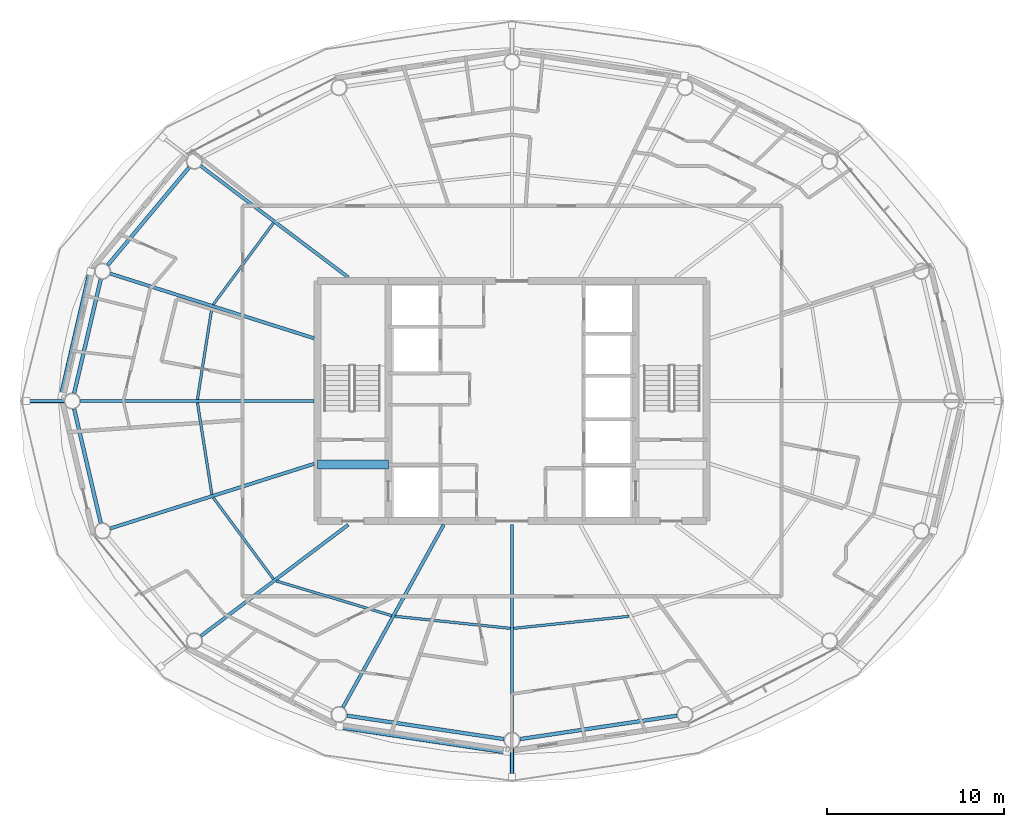
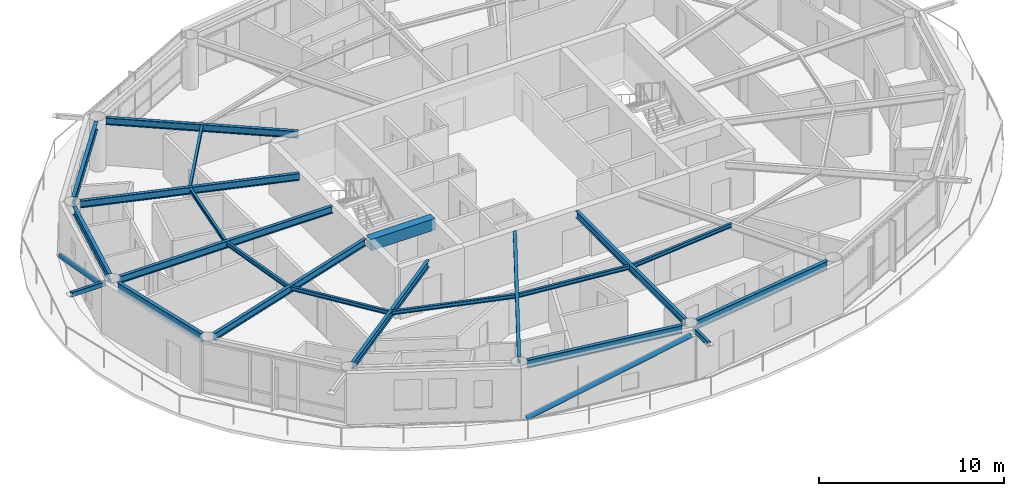
# One storey, part 4 of 23: 20 beams, 4 members.
"""IFC4 building model written with IfcOpenShell, lengths in metres."""

from ifc_helpers import new_model, si_unit, direction, frame, origin, origin_2d, place, context, subcontext, project, spatial, rectangle, hollow_rectangle, hollow_circle, i_section, extrude, material, material_profile, profile_set, type_object, element, save


model = new_model("IFC4")

# Units and contexts
model_context = context("Model", 3, precision=1e-05, world=origin(), true_north=direction((0.0, 1.0)))
body_context = subcontext(model_context, "Body", "Model", "MODEL_VIEW")
ifc_project = project(units=[si_unit("LENGTHUNIT", "METRE"), si_unit("AREAUNIT", "SQUARE_METRE"), si_unit("VOLUMEUNIT", "CUBIC_METRE"), si_unit("PLANEANGLEUNIT", "RADIAN"), si_unit("MASSUNIT", "GRAM", prefix="KILO")], contexts=[model_context])

# Site, building, storey
site_placement = place(None, origin())
site = spatial("IfcSite", under=ifc_project, at=site_placement, CompositionType="ELEMENT")
building_placement = place(site_placement, origin())
building = spatial("IfcBuilding", under=site, at=building_placement, Name="Sarneth Arch Tower", CompositionType="ELEMENT")
storey_placement = place(building_placement, frame((0.0, 0.0, 220.800048828125)))
storey = spatial("IfcBuildingStorey", under=building, at=storey_placement, Name="L56", CompositionType="ELEMENT", Elevation=220.800048828125)

# Beams
ifc_material_1 = material(Name="Steel S355", Category="steel")
ifc_material_profile_1 = material_profile(ifc_material_1, i_section(OverallWidth=0.14794921875, OverallDepth=0.26611328125, WebThickness=0.007568359375, FlangeThickness=0.012939453125, FilletRadius=0.012939453125, at=origin_2d()), Name="W250x44.8")
ifc_profile_set_1 = profile_set([ifc_material_profile_1], Name="Steel S355")
beam_type_1 = type_object("IfcBeamType", Name="BM-JOIST-250", PredefinedType="JOIST", material=ifc_profile_set_1)
beam_1_placement = place(storey_placement, frame((34.5009765625, 52.075439453125, 3.22705078125), z_axis=(-0.594557229879, -0.804053294501, 0.0), x_axis=(0.804053294501, -0.594557229879, 0.0)))
element("IfcBeam", 1, at=beam_1_placement, inside=storey, type_object=beam_type_1, Name="L56 Secondary floor joist 07", PredefinedType="JOIST", context=body_context, shape_type="SweptSolid", body=[
    extrude(i_section(OverallWidth=0.14794921875, OverallDepth=0.26611328125, WebThickness=0.007568359375, FlangeThickness=0.012939453125, FilletRadius=0.012939453125, at=origin_2d()), origin(), (0.0, 0.0, 1.0), 5.74169921875),
])
for number, where, z_axis, x_axis, name in (
    (2, (31.01513671875, 47.286865234375, 3.22705078125), (-0.155421095795, -0.987848309702, 0.0), (0.987848309702, -0.155421095795, 0.0), "L56 Secondary floor joist 08"),
    (3, (30.1982421875, 41.9052734375, 3.22705078125), (0.155421095795, -0.987848309702, 0.0), (0.987848309702, 0.155421095795, 0.0), "L56 Secondary floor joist 09"),
):
    element("IfcBeam", number, at=place(storey_placement, frame(where, z_axis=z_axis, x_axis=x_axis)), inside=storey, type_object=beam_type_1, Name=name, PredefinedType="JOIST", context=body_context, shape_type="SweptSolid", body=[
        extrude(i_section(OverallWidth=0.14794921875, OverallDepth=0.26611328125, WebThickness=0.007568359375, FlangeThickness=0.012939453125, FilletRadius=0.012939453125, at=origin_2d()), origin(), (0.0, 0.0, 1.0), 5.256103515625),
    ])
beam_2_placement = place(storey_placement, frame((31.087158203125, 36.541259765625, 3.22705078125), z_axis=(0.594557229879, -0.804053294501, 0.0), x_axis=(0.804053294501, 0.594557229879, 0.0)))
element("IfcBeam", 4, at=beam_2_placement, inside=storey, type_object=beam_type_1, Name="L56 Secondary floor joist 10", PredefinedType="JOIST", context=body_context, shape_type="SweptSolid", body=[
    extrude(i_section(OverallWidth=0.14794921875, OverallDepth=0.26611328125, WebThickness=0.007568359375, FlangeThickness=0.012939453125, FilletRadius=0.012939453125, at=origin_2d()), origin(), (0.0, 0.0, 1.0), 5.74169921875),
])
beam_3_placement = place(storey_placement, frame((34.64990234375, 31.81982421875, 3.22705078125), z_axis=(0.957725851155, -0.287682453461, 0.0), x_axis=(0.287682453461, 0.957725851155, 0.0)))
element("IfcBeam", 5, at=beam_3_placement, inside=storey, type_object=beam_type_1, Name="L56 Secondary floor joist 11", PredefinedType="JOIST", context=body_context, shape_type="SweptSolid", body=[
    extrude(i_section(OverallWidth=0.14794921875, OverallDepth=0.26611328125, WebThickness=0.007568359375, FlangeThickness=0.012939453125, FilletRadius=0.012939453125, at=origin_2d()), origin(), (0.0, 0.0, 1.0), 6.828125),
])
for number, where, z_axis, x_axis, name in (
    (6, (41.376953125, 29.81787109375, 3.22705078125), (0.994572713015, -0.104043829835, 0.0), (0.104043829835, 0.994572713015, 0.0), "L56 Secondary floor joist 12"),
    (7, (48.095458984375, 29.135009765625, 3.22705078125), (0.994572713015, 0.104043829835, 0.0), (-0.104043829835, 0.994572713015, 0.0), "L56 Secondary floor joist 13"),
):
    element("IfcBeam", number, at=place(storey_placement, frame(where, z_axis=z_axis, x_axis=x_axis)), inside=storey, type_object=beam_type_1, Name=name, PredefinedType="JOIST", context=body_context, shape_type="SweptSolid", body=[
        extrude(i_section(OverallWidth=0.14794921875, OverallDepth=0.26611328125, WebThickness=0.007568359375, FlangeThickness=0.012939453125, FilletRadius=0.012939453125, at=origin_2d()), origin(), (0.0, 0.0, 1.0), 6.563232421875),
    ])
ifc_material_2 = material(Name="Concrete C50/60", Category="concrete")
ifc_material_profile_2 = material_profile(ifc_material_2, rectangle(XDim=0.5, YDim=0.75, at=origin_2d()), Name="RC-500x750")
ifc_profile_set_2 = profile_set([ifc_material_profile_2], Name="Concrete C50/60")
beam_type_2 = type_object("IfcBeamType", Name="BM-LINTEL-RC", PredefinedType="LINTEL", material=ifc_profile_set_2)
beam_4_placement = place(storey_placement, frame((37.0, 38.39990234375, 2.98486328125), z_axis=(1.0, 0.0, 0.0), x_axis=(0.0, 1.0, 0.0)))
element("IfcBeam", 8, at=beam_4_placement, inside=storey, type_object=beam_type_2, Name="L56 Core coupling lintel W", PredefinedType="LINTEL", context=body_context, shape_type="SweptSolid", body=[
    extrude(rectangle(XDim=0.5, YDim=0.75, at=origin_2d()), origin(), (0.0, 0.0, 1.0), 4.0),
])
ifc_material_3 = material(Name="Steel S355", Category="steel")
ifc_material_profile_3 = material_profile(ifc_material_3, i_section(OverallWidth=0.19189453125, OverallDepth=0.462890625, WebThickness=0.010498046875, FlangeThickness=0.017578125, FilletRadius=0.01806640625, at=origin_2d()), Name="W460x89")
ifc_profile_set_3 = profile_set([ifc_material_profile_3], Name="Steel S355")
beam_type_3 = type_object("IfcBeamType", Name="BM-RAD-460B", PredefinedType="BEAM", material=ifc_profile_set_3)
beam_5_placement = place(storey_placement, frame((38.73193359375, 49.0, 3.12841796875), z_axis=(-0.79797356997, 0.602692443647, 0.0), x_axis=(-0.602692443647, -0.79797356997, 0.0)))
element("IfcBeam", 9, at=beam_5_placement, inside=storey, type_object=beam_type_3, Name="L56 Radial floor girder 07", PredefinedType="BEAM", context=body_context, shape_type="SweptSolid", body=[
    extrude(i_section(OverallWidth=0.19189453125, OverallDepth=0.462890625, WebThickness=0.010498046875, FlangeThickness=0.017578125, FilletRadius=0.01806640625, at=origin_2d()), origin(), (0.0, 0.0, 1.0), 10.461669921875),
])
beam_6_placement = place(storey_placement, frame((36.800048828125, 45.5517578125, 3.12841796875), z_axis=(-0.953215615433, 0.302291234563, 0.0), x_axis=(-0.302291234563, -0.953215615433, 0.0)))
element("IfcBeam", 10, at=beam_6_placement, inside=storey, type_object=beam_type_3, Name="L56 Radial floor girder 08", PredefinedType="BEAM", context=body_context, shape_type="SweptSolid", body=[
    extrude(i_section(OverallWidth=0.19189453125, OverallDepth=0.462890625, WebThickness=0.010498046875, FlangeThickness=0.017578125, FilletRadius=0.01806640625, at=origin_2d()), origin(), (0.0, 0.0, 1.0), 12.1064453125),
])
beam_7_placement = place(storey_placement, frame((36.800048828125, 42.0, 3.12841796875), z_axis=(-1.0, 0.0, 0.0), x_axis=(0.0, -1.0, 0.0)))
element("IfcBeam", 11, at=beam_7_placement, inside=storey, type_object=beam_type_3, Name="L56 Radial floor girder 09", PredefinedType="BEAM", context=body_context, shape_type="SweptSolid", body=[
    extrude(i_section(OverallWidth=0.19189453125, OverallDepth=0.462890625, WebThickness=0.010498046875, FlangeThickness=0.017578125, FilletRadius=0.01806640625, at=origin_2d()), origin(), (0.0, 0.0, 1.0), 13.233154296875),
])
beam_8_placement = place(storey_placement, frame((36.800048828125, 38.4482421875, 3.12841796875), z_axis=(-0.953215615433, -0.302291234563, 0.0), x_axis=(0.302291234563, -0.953215615433, 0.0)))
element("IfcBeam", 12, at=beam_8_placement, inside=storey, type_object=beam_type_3, Name="L56 Radial floor girder 10", PredefinedType="BEAM", context=body_context, shape_type="SweptSolid", body=[
    extrude(i_section(OverallWidth=0.19189453125, OverallDepth=0.462890625, WebThickness=0.010498046875, FlangeThickness=0.017578125, FilletRadius=0.01806640625, at=origin_2d()), origin(), (0.0, 0.0, 1.0), 12.1064453125),
])
beam_9_placement = place(storey_placement, frame((38.73193359375, 35.0, 3.12841796875), z_axis=(-0.79797356997, -0.602692443647, 0.0), x_axis=(0.602692443647, -0.79797356997, 0.0)))
element("IfcBeam", 13, at=beam_9_placement, inside=storey, type_object=beam_type_3, Name="L56 Radial floor girder 11", PredefinedType="BEAM", context=body_context, shape_type="SweptSolid", body=[
    extrude(i_section(OverallWidth=0.19189453125, OverallDepth=0.462890625, WebThickness=0.010498046875, FlangeThickness=0.017578125, FilletRadius=0.01806640625, at=origin_2d()), origin(), (0.0, 0.0, 1.0), 10.461669921875),
])
beam_10_placement = place(storey_placement, frame((44.13623046875, 35.0, 3.12841796875), z_axis=(-0.483218265038, -0.875499919094, 0.0), x_axis=(0.875499919094, -0.483218265038, 0.0)))
element("IfcBeam", 14, at=beam_10_placement, inside=storey, type_object=beam_type_3, Name="L56 Radial floor girder 12", PredefinedType="BEAM", context=body_context, shape_type="SweptSolid", body=[
    extrude(i_section(OverallWidth=0.19189453125, OverallDepth=0.462890625, WebThickness=0.010498046875, FlangeThickness=0.017578125, FilletRadius=0.01806640625, at=origin_2d()), origin(), (0.0, 0.0, 1.0), 11.8154296875),
])
beam_11_placement = place(storey_placement, frame((48.0, 35.0, 3.12841796875), z_axis=(0.0, -1.0, 0.0), x_axis=(1.0, 0.0, 0.0)))
element("IfcBeam", 15, at=beam_11_placement, inside=storey, type_object=beam_type_3, Name="L56 Radial floor girder 13", PredefinedType="BEAM", context=body_context, shape_type="SweptSolid", body=[
    extrude(i_section(OverallWidth=0.19189453125, OverallDepth=0.462890625, WebThickness=0.010498046875, FlangeThickness=0.017578125, FilletRadius=0.01806640625, at=origin_2d()), origin(), (0.0, 0.0, 1.0), 11.75),
])
ifc_material_4 = material(Name="Steel S355", Category="steel")
ifc_material_profile_4 = material_profile(ifc_material_4, i_section(OverallWidth=0.2109375, OverallDepth=0.5390625, WebThickness=0.01171875, FlangeThickness=0.018798828125, FilletRadius=0.01806640625, at=origin_2d()), Name="W530x109")
ifc_profile_set_4 = profile_set([ifc_material_profile_4], Name="Steel S355")
beam_type_4 = type_object("IfcBeamType", Name="BM-RAD-530B", PredefinedType="BEAM", material=ifc_profile_set_4)
beam_12_placement = place(storey_placement, frame((29.736572265625, 55.230712890625, 3.09033203125), z_axis=(-0.640390876881, -0.768049168222, 0.0), x_axis=(0.768049168222, -0.640390876881, 0.0)))
element("IfcBeam", 16, at=beam_12_placement, inside=storey, type_object=beam_type_4, Name="L56 Perimeter spandrel beam 07", PredefinedType="BEAM", context=body_context, shape_type="SweptSolid", body=[
    extrude(i_section(OverallWidth=0.2109375, OverallDepth=0.5390625, WebThickness=0.01171875, FlangeThickness=0.018798828125, FilletRadius=0.01806640625, at=origin_2d()), origin(), (0.0, 0.0, 1.0), 7.2099609375),
])
for number, where, z_axis, x_axis, name in (
    (17, (24.72900390625, 48.9091796875, 3.09033203125), (-0.227247037844, -0.973837144389, 0.0), (0.973837144389, -0.227247037844, 0.0), "L56 Perimeter spandrel beam 08"),
    (18, (23.218994140625, 41.561767578125, 3.09033203125), (0.227247037844, -0.973837144389, 0.0), (0.973837144389, 0.227247037844, 0.0), "L56 Perimeter spandrel beam 09"),
):
    element("IfcBeam", number, at=place(storey_placement, frame(where, z_axis=z_axis, x_axis=x_axis)), inside=storey, type_object=beam_type_4, Name=name, PredefinedType="BEAM", context=body_context, shape_type="SweptSolid", body=[
        extrude(i_section(OverallWidth=0.2109375, OverallDepth=0.5390625, WebThickness=0.01171875, FlangeThickness=0.018798828125, FilletRadius=0.01806640625, at=origin_2d()), origin(), (0.0, 0.0, 1.0), 6.644775390625),
    ])
for number, where, z_axis, x_axis, name in (
    (19, (38.654296875, 24.195068359375, 3.09033203125), (0.989041765772, -0.147635990052, 0.0), (0.147635990052, 0.989041765772, 0.0), "L56 Perimeter spandrel beam 12"),
    (20, (48.445068359375, 22.866455078125, 3.09033203125), (0.989041765772, 0.147635990052, 0.0), (-0.147635990052, 0.989041765772, 0.0), "L56 Perimeter spandrel beam 13"),
):
    element("IfcBeam", number, at=place(storey_placement, frame(where, z_axis=z_axis, x_axis=x_axis)), inside=storey, type_object=beam_type_4, Name=name, PredefinedType="BEAM", context=body_context, shape_type="SweptSolid", body=[
        extrude(i_section(OverallWidth=0.2109375, OverallDepth=0.5390625, WebThickness=0.01171875, FlangeThickness=0.018798828125, FilletRadius=0.01806640625, at=origin_2d()), origin(), (0.0, 0.0, 1.0), 8.999267578125),
    ])

# Members
ifc_material_5 = material(Name="Steel S355", Category="steel")
ifc_material_profile_5 = material_profile(ifc_material_5, hollow_rectangle(XDim=0.199951171875, YDim=0.300048828125, WallThickness=0.012451171875, InnerFilletRadius=0.018798828125, OuterFilletRadius=0.03125, at=origin_2d()), Name="RHS300x200x12.5")
ifc_profile_set_5 = profile_set([ifc_material_profile_5], Name="Steel S355")
member_type_1 = type_object("IfcMemberType", Name="MEM-CANT-STRUT", PredefinedType="STRUT", material=ifc_profile_set_5)
member_1_placement = place(storey_placement, frame((22.666748046875, 42.0, 3.199951171875), z_axis=(-1.0, 0.0, 0.0), x_axis=(0.0, -1.0, 0.0)))
element("IfcMember", 21, at=member_1_placement, inside=storey, type_object=member_type_1, Name="L56 Balcony cantilever bracket 09", PredefinedType="STRUT", context=body_context, shape_type="SweptSolid", body=[
    extrude(hollow_rectangle(XDim=0.199951171875, YDim=0.300048828125, WallThickness=0.012451171875, InnerFilletRadius=0.018798828125, OuterFilletRadius=0.03125, at=origin_2d()), origin(), (0.0, 0.0, 1.0), 2.139404296875),
])
member_2_placement = place(storey_placement, frame((48.0, 22.35009765625, 3.199951171875), z_axis=(0.0, -1.0, 0.0), x_axis=(1.0, 0.0, 0.0)))
element("IfcMember", 22, at=member_2_placement, inside=storey, type_object=member_type_1, Name="L56 Balcony cantilever bracket 13", PredefinedType="STRUT", context=body_context, shape_type="SweptSolid", body=[
    extrude(hollow_rectangle(XDim=0.199951171875, YDim=0.300048828125, WallThickness=0.012451171875, InnerFilletRadius=0.018798828125, OuterFilletRadius=0.03125, at=origin_2d()), origin(), (0.0, 0.0, 1.0), 1.61083984375),
])
ifc_material_6 = material(Name="Steel S355", Category="steel")
ifc_material_profile_6 = material_profile(ifc_material_6, hollow_circle(Radius=0.162109375, WallThickness=0.012451171875, at=origin_2d()), Name="CHS324x12.5")
ifc_profile_set_6 = profile_set([ifc_material_profile_6], Name="Steel S355")
member_type_2 = type_object("IfcMemberType", Name="MEM-DIAG-BR3", PredefinedType="BRACE", material=ifc_profile_set_6)
member_3_placement = place(storey_placement, frame((24.148193359375, 49.3154296875, 0.02001953125), z_axis=(-0.207917989892, -0.898749333617, 0.386030756289), x_axis=(0.974268900284, -0.225388797281, 0.0)))
element("IfcMember", 23, at=member_3_placement, inside=storey, type_object=member_type_2, Name="L56 Perimeter frame diagonal 08", PredefinedType="BRACE", context=body_context, shape_type="SweptSolid", body=[
    extrude(hollow_circle(Radius=0.162109375, WallThickness=0.012451171875, at=origin_2d()), origin(), (0.0, 0.0, 1.0), 7.814453125),
])
member_4_placement = place(storey_placement, frame((38.245849609375, 23.588623046875, 0.02001953125), z_axis=(0.943056107878, -0.142001297879, 0.300800280576), x_axis=(0.148897148305, 0.988852688335, 0.0)))
element("IfcMember", 24, at=member_4_placement, inside=storey, type_object=member_type_2, Name="L56 Perimeter frame diagonal 12", PredefinedType="BRACE", context=body_context, shape_type="SweptSolid", body=[
    extrude(hollow_circle(Radius=0.162109375, WallThickness=0.012451171875, at=origin_2d()), origin(), (0.0, 0.0, 1.0), 10.028564453125),
])

save(model, "model.ifc")
